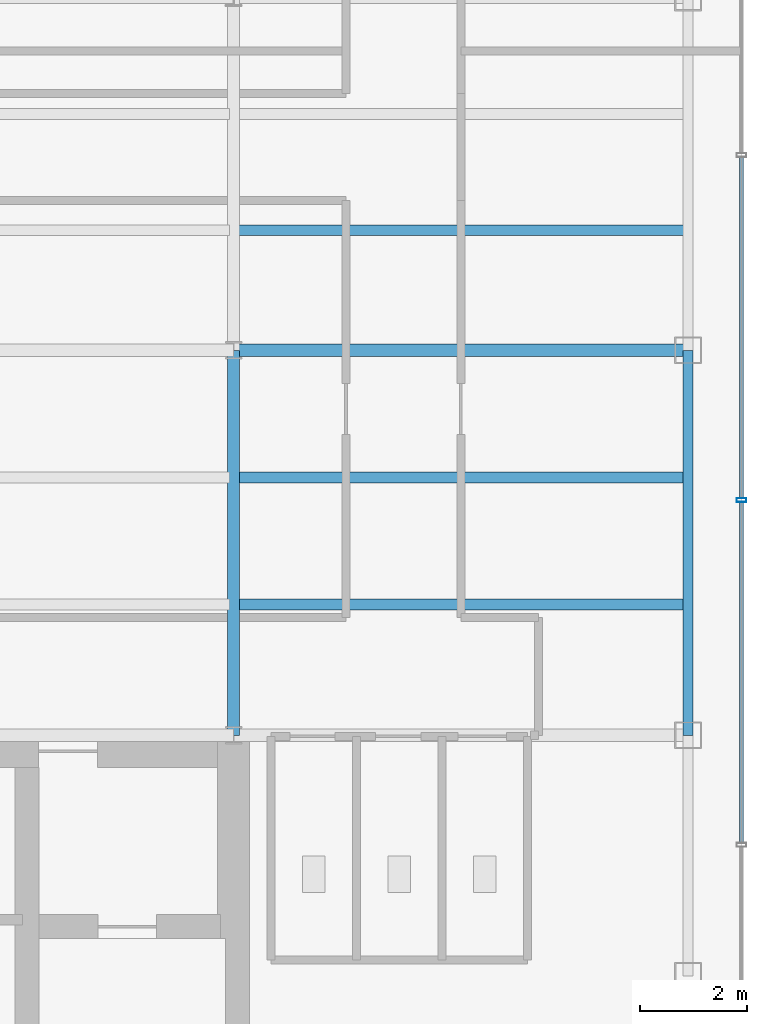
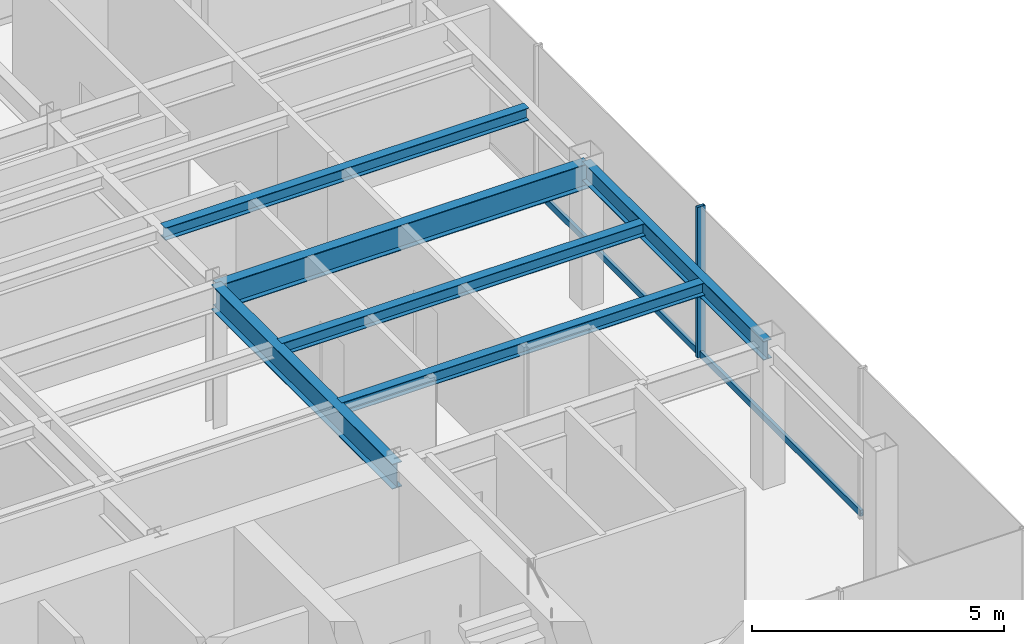
# One storey, part 10 of 22: 6 beams, 3 members, 1 element without a shape of its own.
"""IFC4 building model written with IfcOpenShell, lengths in metres."""

from ifc_helpers import new_model, si_unit, derived_unit, direction, frame, origin, origin_2d, place, context, subcontext, project, spatial, hollow_rectangle, i_section, extrude, source, transform, mapped, material, material_profile, profile_set, type_object, element, aggregate, save


model = new_model("IFC4")

# Units and contexts
model_context = context("Model", 3, precision=1e-05, world=origin(), true_north=direction((0.0, 1.0)))
body_context = subcontext(model_context, "Body", "Model", "MODEL_VIEW")
ifc_project = project(units=[si_unit("LENGTHUNIT", "METRE"), si_unit("AREAUNIT", "SQUARE_METRE"), si_unit("VOLUMEUNIT", "CUBIC_METRE"), si_unit("PLANEANGLEUNIT", "RADIAN"), si_unit("MASSUNIT", "GRAM", prefix="KILO"), derived_unit("THERMALTRANSMITTANCEUNIT", [(si_unit("POWERUNIT", "WATT"), 1), (si_unit("LENGTHUNIT", "METRE"), -2), (si_unit("THERMODYNAMICTEMPERATUREUNIT", "KELVIN"), -1)])], contexts=[model_context])

# Site, building, storey
site_placement = place(None, origin())
site = spatial("IfcSite", under=ifc_project, at=site_placement, CompositionType="ELEMENT")
building_placement = place(site_placement, origin())
building = spatial("IfcBuilding", under=site, at=building_placement, Name="Skarnbrae Concourse Arena and Tower", CompositionType="ELEMENT")
storey_placement = place(building_placement, frame((0.0, 0.0, 244.199951171875)))
storey = spatial("IfcBuildingStorey", under=building, at=storey_placement, Name="L63", CompositionType="ELEMENT", Elevation=244.199951171875)

# Beams
ifc_material_1 = material(Name="Steel CSA G40.21 350W", Category="steel")
ifc_material_profile_1 = material_profile(ifc_material_1, i_section(OverallWidth=0.22802734375, OverallDepth=0.60791015625, WebThickness=0.01123046875, FlangeThickness=0.017333984375, at=origin_2d()), Name="W610X113")
ifc_profile_set_1 = profile_set([ifc_material_profile_1], Name="Steel CSA G40.21 350W")
beam_type_1 = type_object("IfcBeamType", Name="BM-GIRD-W610X113", PredefinedType="BEAM", material=ifc_profile_set_1)
shared_shape_1 = source(origin(), body_context, "Body", "SweptSolid", [
    extrude(i_section(OverallWidth=0.22802734375, OverallDepth=0.60791015625, WebThickness=0.01123046875, FlangeThickness=0.017333984375, at=origin_2d()), origin(), (0.0, 0.0, 1.0), 8.5),
])
beam_1_placement = place(storey_placement, frame((33.5, 21.199951171875, 3.095947265625), z_axis=(1.0, 0.0, 0.0), x_axis=(0.0, 1.0, 0.0)))
element("IfcBeam", 1, at=beam_1_placement, inside=storey, type_object=beam_type_1, Name="L63 Primary E-W girder Y21.2-6", PredefinedType="BEAM", context=body_context, shape_type="MappedRepresentation", body=[
    mapped(shared_shape_1, transform((0.0, 0.0, 0.0))),
])
ifc_material_profile_2 = material_profile(ifc_material_1, i_section(OverallWidth=0.19091796875, OverallDepth=0.4599609375, WebThickness=0.010009765625, FlangeThickness=0.01611328125, at=origin_2d()), Name="W460X82")
ifc_profile_set_2 = profile_set([ifc_material_profile_2], Name="Steel CSA G40.21 350W")
beam_type_2 = type_object("IfcBeamType", Name="BM-SPAN-W460X82", PredefinedType="SPANDREL", material=ifc_profile_set_2)
shared_shape_2 = source(origin(), body_context, "Body", "SweptSolid", [
    extrude(i_section(OverallWidth=0.19091796875, OverallDepth=0.4599609375, WebThickness=0.010009765625, FlangeThickness=0.01611328125, at=origin_2d()), origin(), (0.0, 0.0, 1.0), 7.199951171875),
])
beam_2_placement = place(storey_placement, frame((42.0, 14.0, 3.170166015625), z_axis=(0.0, 1.0, 0.0), x_axis=(-1.0, 0.0, 0.0)))
element("IfcBeam", 2, at=beam_2_placement, inside=storey, type_object=beam_type_2, Name="L63 Perimeter spandrel X42.0-2", PredefinedType="SPANDREL", context=body_context, shape_type="MappedRepresentation", body=[
    mapped(shared_shape_2, transform((0.0, 0.0, 0.0))),
])
shared_shape_3 = source(origin(), body_context, "Body", "SweptSolid", [
    extrude(i_section(OverallWidth=0.22802734375, OverallDepth=0.60791015625, WebThickness=0.01123046875, FlangeThickness=0.017333984375, at=origin_2d()), origin(), (0.0, 0.0, 1.0), 7.199951171875),
])
beam_3_placement = place(storey_placement, frame((33.5, 14.0, 3.095947265625), z_axis=(0.0, 1.0, 0.0), x_axis=(-1.0, 0.0, 0.0)))
element("IfcBeam", 3, at=beam_3_placement, inside=storey, type_object=beam_type_1, Name="L63 Primary N-S girder X33.5-1", PredefinedType="BEAM", context=body_context, shape_type="MappedRepresentation", body=[
    mapped(shared_shape_3, transform((0.0, 0.0, 0.0))),
])
ifc_material_profile_3 = material_profile(ifc_material_1, i_section(OverallWidth=0.202880859375, OverallDepth=0.302978515625, WebThickness=0.007568359375, FlangeThickness=0.01318359375, at=origin_2d()), Name="W310X60")
ifc_profile_set_3 = profile_set([ifc_material_profile_3], Name="Steel CSA G40.21 350W")
beam_type_3 = type_object("IfcBeamType", Name="BM-JOIST-W310X60", PredefinedType="JOIST", material=ifc_profile_set_3)
shared_shape_4 = source(origin(), body_context, "Body", "SweptSolid", [
    extrude(i_section(OverallWidth=0.202880859375, OverallDepth=0.302978515625, WebThickness=0.007568359375, FlangeThickness=0.01318359375, at=origin_2d()), origin(), (0.0, 0.0, 1.0), 8.33984375),
])
for number, where, z_axis, x_axis, name in (
    (4, (33.580078125, 16.447998046875, 3.24853515625), (1.0, 0.0, 0.0), (0.0, 1.0, 0.0), "L63 Secondary floor joist 1.1.6"),
    (5, (33.580078125, 18.823974609375, 3.24853515625), (1.0, 0.0, 0.0), (0.0, 1.0, 0.0), "L63 Secondary floor joist 1.2.6"),
    (6, (33.580078125, 23.444091796875, 3.24853515625), (1.0, 0.0, 0.0), (0.0, 1.0, 0.0), "L63 Secondary floor joist 2.1.6"),
):
    element("IfcBeam", number, at=place(storey_placement, frame(where, z_axis=z_axis, x_axis=x_axis)), inside=storey, type_object=beam_type_3, Name=name, PredefinedType="JOIST", context=body_context, shape_type="MappedRepresentation", body=[
        mapped(shared_shape_4, transform((0.0, 0.0, 0.0))),
    ])

# Curtain wall, members
ifc_material_2 = material(Name="Bronze anodised aluminium 6063-T6", Category="aluminium")
curtain_wall_type = type_object("IfcCurtainWallType", Name="CW-SYS-05-HIGHZONE", PredefinedType="USERDEFINED", material=ifc_material_2)
curtain_wall_placement = place(storey_placement, origin())
curtain_wall = element("IfcCurtainWall", 7, at=curtain_wall_placement, inside=storey, type_object=curtain_wall_type, Name="L63 Unitised curtain wall CW-L63-E04", ObjectType="UNITISED CURTAIN WALL", PredefinedType="USERDEFINED")
ifc_material_profile_4 = material_profile(ifc_material_2, hollow_rectangle(XDim=0.074951171875, YDim=0.14990234375, WallThickness=0.00390625, at=origin_2d()), Name="ALU-TRAN-75X150")
ifc_profile_set_4 = profile_set([ifc_material_profile_4], Name="Bronze anodised aluminium 6063-T6")
member_type_1 = type_object("IfcMemberType", Name="CWT-CW-05", PredefinedType="USERDEFINED", material=ifc_profile_set_4)
shared_shape_5 = source(origin(), body_context, "Body", "SweptSolid", [
    extrude(hollow_rectangle(XDim=0.074951171875, YDim=0.14990234375, WallThickness=0.00390625, at=origin_2d()), origin(), (0.0, 0.0, 1.0), 6.375),
])
member_1_placement = place(storey_placement, frame((43.0, 11.987548828125, 0.074951171875), z_axis=(0.0, 1.0, 0.0), x_axis=(-1.0, 0.0, 0.0)))
member_1 = element("IfcMember", 8, at=member_1_placement, type_object=member_type_1, Name="CW-L63-E04 Transom 2", ObjectType="TRANSOM", PredefinedType="USERDEFINED", context=body_context, shape_type="MappedRepresentation", body=[
    mapped(shared_shape_5, transform((0.0, 0.0, 0.0))),
])
member_2_placement = place(storey_placement, frame((43.0, 18.4375, 0.074951171875), z_axis=(0.0, 1.0, 0.0), x_axis=(-1.0, 0.0, 0.0)))
member_2 = element("IfcMember", 9, at=member_2_placement, type_object=member_type_1, Name="CW-L63-E04 Transom 3", ObjectType="TRANSOM", PredefinedType="USERDEFINED", context=body_context, shape_type="MappedRepresentation", body=[
    mapped(shared_shape_5, transform((0.0, 0.0, 0.0))),
])
ifc_material_profile_5 = material_profile(ifc_material_2, hollow_rectangle(XDim=0.074951171875, YDim=0.179931640625, WallThickness=0.00390625, at=origin_2d()), Name="ALU-MULL-75X180")
ifc_profile_set_5 = profile_set([ifc_material_profile_5], Name="Bronze anodised aluminium 6063-T6")
member_type_2 = type_object("IfcMemberType", Name="CWM-CW-05", PredefinedType="MULLION", material=ifc_profile_set_5)
shared_shape_6 = source(origin(), body_context, "Body", "SweptSolid", [
    extrude(hollow_rectangle(XDim=0.074951171875, YDim=0.179931640625, WallThickness=0.00390625, at=origin_2d()), origin(), (0.0, 0.0, 1.0), 3.650146484375),
])
member_3_placement = place(storey_placement, frame((43.0, 18.39990234375, 0.0), z_axis=(0.0, 0.0, 1.0), x_axis=(0.0, 1.0, 0.0)))
member_3 = element("IfcMember", 10, at=member_3_placement, type_object=member_type_2, Name="CW-L63-E04 Mullion 3", PredefinedType="MULLION", context=body_context, shape_type="MappedRepresentation", body=[
    mapped(shared_shape_6, transform((0.0, 0.0, 0.0))),
])
aggregate(curtain_wall, [member_3, member_1, member_2])

save(model, "model.ifc")
